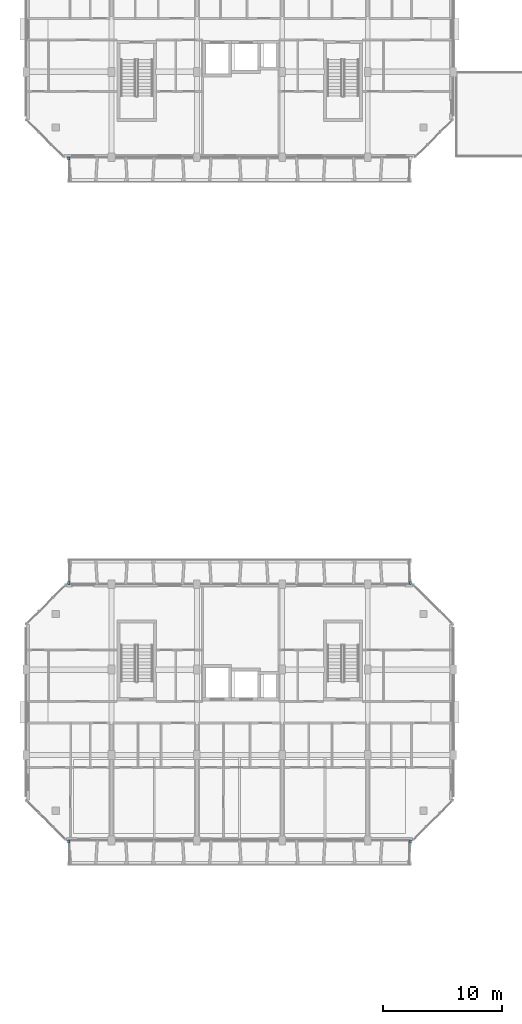
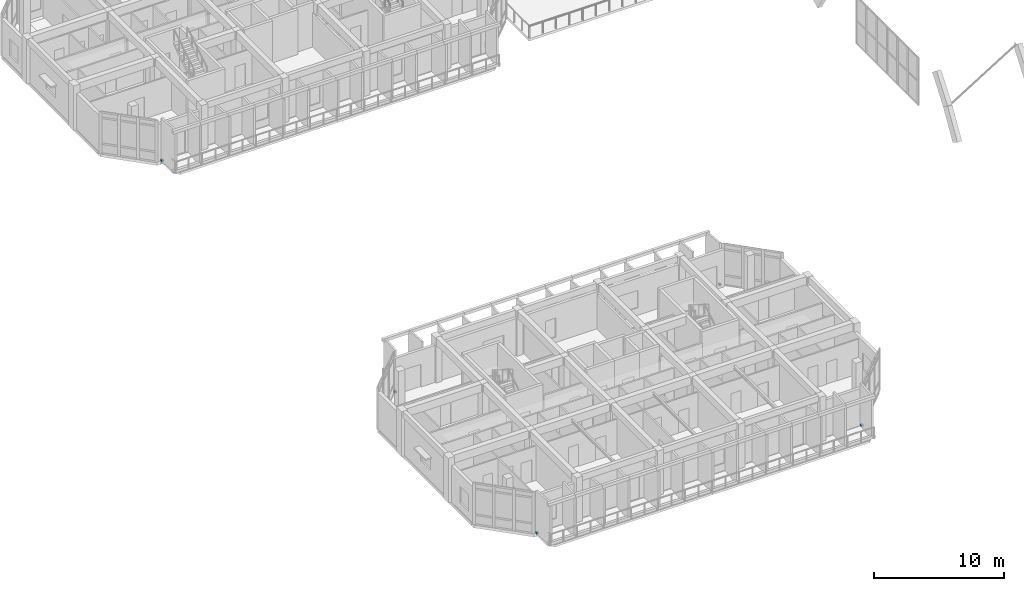
# One storey, part 64 of 85: 5 discrete accessories.
"""IFC4 building model written with IfcOpenShell, lengths in metres."""

import ifcopenshell
import ifcopenshell.guid

model = None  # the IFC model being written
_history = None  # IfcOwnerHistory: only IFC2X3 demands one
_inside = {}  # id of a spatial element -> (the spatial element, [elements in it])
_under = {}  # id of a project, library or spatial element -> (it, [spatial elements below it])
_declared = {}  # id of a project -> (the project, [libraries it declares])
_typed = {}  # id of a type object -> (the type object, [elements of that type])
_made_of = {}  # id of a material, layer set ... -> (it, [elements and type objects made of it])


def new_model(schema):
    """Start an empty IFC model of exactly this schema.

    Asked for "IFC4X3", IfcOpenShell would pick the latest addendum, in which some entities
    have other attributes; the version numbers below select the first issue.
    IFC2X3 requires an IfcOwnerHistory on every rooted entity: one is made here for all.
    """
    global model, _history
    if schema == "IFC4X3":
        model = ifcopenshell.file(schema_version=(4, 3, 0, 0))
    else:
        model = ifcopenshell.file(schema=schema)
    _inside.clear()
    _under.clear()
    _declared.clear()
    _typed.clear()
    _made_of.clear()
    _history = None
    if model.schema == "IFC2X3":
        org = make("IfcOrganization", Name="unknown")
        user = make(
            "IfcPersonAndOrganization",
            ThePerson=make("IfcPerson", FamilyName="unknown"),
            TheOrganization=org,
        )
        app = make(
            "IfcApplication",
            ApplicationDeveloper=org,
            Version="unknown",
            ApplicationFullName="unknown",
            ApplicationIdentifier="unknown",
        )
        _history = make(
            "IfcOwnerHistory",
            OwningUser=user,
            OwningApplication=app,
            ChangeAction="ADDED",
            CreationDate=0,
        )
    return model


def make(cls, **values):
    """One entity of the class cls with the attributes given. An attribute that is None is left unset."""
    return model.create_entity(
        cls, **{name: value for name, value in values.items() if value is not None}
    )


def rooted(cls, **values):
    """An entity with a GlobalId (a new one), such as an element, a storey or a relation."""
    return make(cls, GlobalId=ifcopenshell.guid.new(), OwnerHistory=_history, **values)


def si_unit(unit_type, name, prefix=None):
    """IfcSIUnit, for example si_unit("LENGTHUNIT", "METRE", prefix="MILLI")."""
    return make("IfcSIUnit", UnitType=unit_type, Prefix=prefix, Name=name)


def assignment(units):
    """IfcUnitAssignment: the units of a project."""
    return None if units is None else make("IfcUnitAssignment", Units=units)


def point(xyz):
    """IfcCartesianPoint."""
    return None if xyz is None else make("IfcCartesianPoint", Coordinates=xyz)


def direction(xyz):
    """IfcDirection."""
    return None if xyz is None else make("IfcDirection", DirectionRatios=xyz)


def frame(location, z_axis=None, x_axis=None):
    """IfcAxis2Placement3D, a coordinate frame: its origin and axes. An axis left out is left unset."""
    return make(
        "IfcAxis2Placement3D",
        Location=point(location),
        Axis=direction(z_axis),
        RefDirection=direction(x_axis),
    )


def frame_2d(location, x_axis=None):
    """IfcAxis2Placement2D, a coordinate frame in the plane: its origin and x axis."""
    return make(
        "IfcAxis2Placement2D", Location=point(location), RefDirection=direction(x_axis)
    )


def origin():
    """The frame at (0, 0, 0) with its axes left unset."""
    return frame((0.0, 0.0, 0.0))


def origin_2d():
    """The frame at (0, 0) in the plane with its x axis left unset."""
    return frame_2d((0.0, 0.0))


def place(relative_to, where):
    """IfcLocalPlacement: puts the frame where relative to a parent placement (None: the world)."""
    return make(
        "IfcLocalPlacement", PlacementRelTo=relative_to, RelativePlacement=where
    )


def context(
    kind, dimensions, precision=None, world=None, true_north=None, identifier=None
):
    """IfcGeometricRepresentationContext, for example the 3D "Model" context."""
    return make(
        "IfcGeometricRepresentationContext",
        ContextIdentifier=identifier,
        ContextType=kind,
        CoordinateSpaceDimension=dimensions,
        Precision=precision,
        WorldCoordinateSystem=world,
        TrueNorth=true_north,
    )


def subcontext(parent, identifier, kind, view, scale=None):
    """IfcGeometricRepresentationSubContext, for example "Body" below "Model"."""
    return make(
        "IfcGeometricRepresentationSubContext",
        ContextIdentifier=identifier,
        ContextType=kind,
        ParentContext=parent,
        TargetScale=scale,
        TargetView=view,
    )


def project(units=None, contexts=None):
    """IfcProject with its units and contexts."""
    return rooted(
        "IfcProject",
        Name="project",
        RepresentationContexts=contexts,
        UnitsInContext=assignment(units),
    )


def spatial(cls, under=None, at=None, **own):
    """A site, building, storey or space (cls), placed at a placement, below another one or the project."""
    s = rooted(cls, ObjectPlacement=at, **own)
    if under is not None:
        _under.setdefault(under.id(), (under, []))[1].append(s)
    return s


def profile(cls, at=None, kind="AREA", **sizes):
    """A parametric profile (cls). Its sizes go by their IFC names, for example OverallWidth=200.0."""
    return make(cls, ProfileType=kind, Position=at, **sizes)


def rectangle(**sizes):
    """IfcRectangleProfileDef."""
    return profile("IfcRectangleProfileDef", **sizes)


def extrude(swept, where, along, depth):
    """IfcExtrudedAreaSolid: the profile swept, set in the frame where, extruded along a direction by depth."""
    return make(
        "IfcExtrudedAreaSolid",
        SweptArea=swept,
        Position=where,
        ExtrudedDirection=direction(along),
        Depth=depth,
    )


def shape(context_of_items, identifier, shape_type, items):
    """IfcShapeRepresentation: the items that make up one representation, for example the "Body"."""
    return make(
        "IfcShapeRepresentation",
        ContextOfItems=context_of_items,
        RepresentationIdentifier=identifier,
        RepresentationType=shape_type,
        Items=items,
    )


def material(Name=None, Category=None):
    """IfcMaterial."""
    return make("IfcMaterial", Name=Name, Category=Category)


def made_of(thing, what):
    """Note that an element or type object is made of a material, layer set ...; save() writes the relation."""
    if what is not None:
        _made_of.setdefault(what.id(), (what, []))[1].append(thing)
    return thing


def type_object(cls, material=None, **own):
    """A type object (cls), such as IfcWallType, which elements share."""
    return made_of(rooted(cls, **own), material)


def element(
    cls,
    number,
    at=None,
    inside=None,
    cuts=None,
    type_object=None,
    material=None,
    context=None,
    identifier="Body",
    shape_type=None,
    held_by="IfcProductDefinitionShape",
    body=None,
    shapes=None,
    **own,
):
    """One element of the class cls, such as IfcWall. Its Tag is "e" and its number.

    at: its placement. inside: the storey or other place that contains it. cuts: it is an
    opening in that element (IfcRelVoidsElement). A single representation is given by context,
    identifier, shape_type and body (its items); several are given by shapes. held_by: the class
    of the entity that holds the representations. save() writes the other relations.
    """
    e = rooted(cls, Tag="e%d" % number, ObjectPlacement=at, **own)
    if body is not None:
        shapes = [shape(context, identifier, shape_type, body)]
    if shapes is not None:
        e.Representation = make(held_by, Representations=shapes)
    if inside is not None:
        _inside.setdefault(inside.id(), (inside, []))[1].append(e)
    if cuts is not None:
        rooted(
            "IfcRelVoidsElement", RelatingBuildingElement=cuts, RelatedOpeningElement=e
        )
    if type_object is not None:
        _typed.setdefault(type_object.id(), (type_object, []))[1].append(e)
    return made_of(e, material)


def aggregate(whole, parts):
    """IfcRelAggregates: a whole, such as a stair, and the parts it consists of."""
    return rooted("IfcRelAggregates", RelatingObject=whole, RelatedObjects=parts)


def save(model, path):
    """Write the relations noted so far, then the file.

    IfcRelAggregates (storeys below a building ...), IfcRelContainedInSpatialStructure (elements
    in a storey), IfcRelDefinesByType, IfcRelAssociatesMaterial and IfcRelDeclares: one each for
    every whole, place, type object, material and project.
    """
    for whole, parts in _under.values():
        aggregate(whole, parts)
    for where, things in _inside.values():
        rooted(
            "IfcRelContainedInSpatialStructure",
            RelatedElements=things,
            RelatingStructure=where,
        )
    for kind, things in _typed.values():
        rooted("IfcRelDefinesByType", RelatedObjects=things, RelatingType=kind)
    for what, things in _made_of.values():
        rooted("IfcRelAssociatesMaterial", RelatedObjects=things, RelatingMaterial=what)
    for by, libraries in _declared.values():
        rooted("IfcRelDeclares", RelatingContext=by, RelatedDefinitions=libraries)
    model.write(path)


model = new_model("IFC4")

# Units and contexts
model_context = context("Model", 3, precision=1e-05, world=origin(), true_north=direction((0.0, 1.0)))
body_context = subcontext(model_context, "Body", "Model", "MODEL_VIEW")
ifc_project = project(units=[si_unit("LENGTHUNIT", "METRE"), si_unit("AREAUNIT", "SQUARE_METRE"), si_unit("VOLUMEUNIT", "CUBIC_METRE"), si_unit("PLANEANGLEUNIT", "RADIAN"), si_unit("MASSUNIT", "GRAM", prefix="KILO")], contexts=[model_context])

# Site, building, storey
site_placement = place(None, origin())
site = spatial("IfcSite", under=ifc_project, at=site_placement, CompositionType="ELEMENT")
building_placement = place(site_placement, origin())
building = spatial("IfcBuilding", under=site, at=building_placement, Name="Ochrevale Crest", CompositionType="ELEMENT")
storey_placement = place(building_placement, frame((0.0, 0.0, 4.5)))
storey = spatial("IfcBuildingStorey", under=building, at=storey_placement, Name="L01", CompositionType="ELEMENT", Elevation=4.5)

# Discrete accessories
ifc_material = material(Name="Galvanised steel", Category="steel")
discrete_accessory_type = type_object("IfcDiscreteAccessoryType", Name="ACC-BRK-HC", PredefinedType="BRACKET", material=ifc_material)
for number, where, z_axis, x_axis, name in (
    (1, (3.60009765625, 14.300048828125, 0.0), (0.0, 0.0, 1.0), (1.0, 0.0, 0.0), "Block A L01 precast loggia corbel bracket"),
    (2, (32.39990234375, 14.300048828125, 0.0), (0.0, 0.0, 1.0), (1.0, 0.0, 0.0), "Block A L01 precast loggia corbel bracket"),
    (3, (3.60009765625, 36.10009765625, 0.0), (0.0, 0.0, 1.0), (1.0, 0.0, 0.0), "Block A L01 precast loggia corbel bracket"),
    (4, (32.39990234375, 36.10009765625, 0.0), (0.0, 0.0, 1.0), (1.0, 0.0, 0.0), "Block A L01 precast loggia corbel bracket"),
    (5, (3.60009765625, 71.89990234375, 0.0), (0.0, 0.0, 1.0), (1.0, 0.0, 0.0), "Block B L01 precast loggia corbel bracket"),
):
    element("IfcDiscreteAccessory", number, at=place(storey_placement, frame(where, z_axis=z_axis, x_axis=x_axis)), inside=storey, type_object=discrete_accessory_type, Name=name, PredefinedType="BRACKET", context=body_context, shape_type="SweptSolid", body=[
        extrude(rectangle(XDim=0.179931640625, YDim=0.219970703125, at=origin_2d()), origin(), (0.0, 0.0, 1.0), 0.179931640625),
    ])

save(model, "model.ifc")
